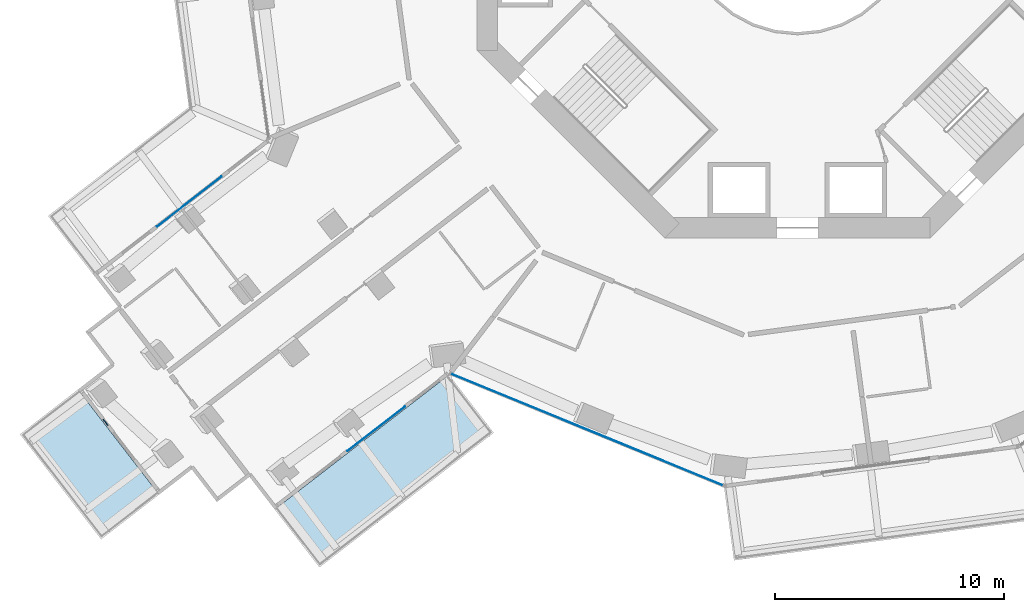
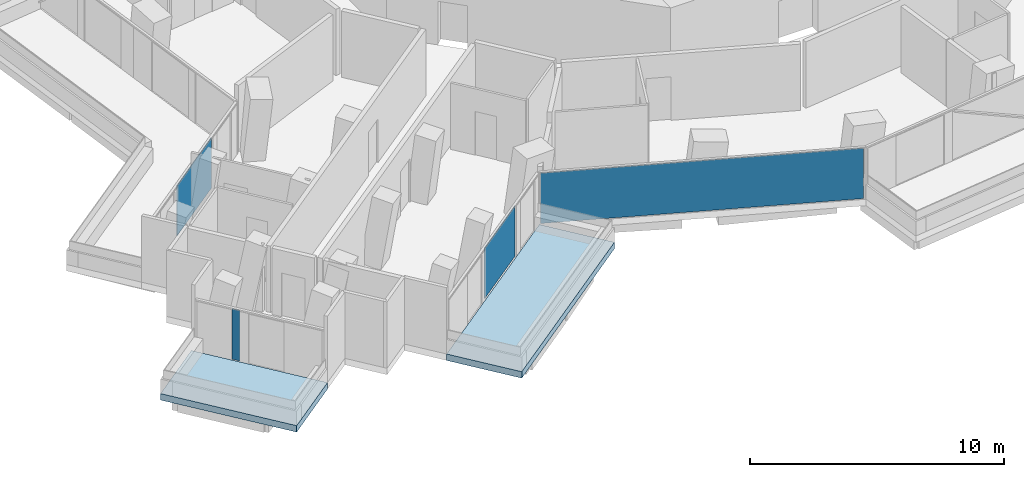
# One storey, part 13 of 27: 4 plates, 2 slabs, 4 elements without a shape of their own.
"""IFC4 building model written with IfcOpenShell, lengths in metres."""

from ifc_helpers import new_model, si_unit, direction, frame, origin, origin_2d, place, context, subcontext, project, spatial, polyline, rectangle, outline, extrude, material, layer, layer_set, type_object, element, aggregate, save


model = new_model("IFC4")

# Units and contexts
model_context = context("Model", 3, precision=1e-05, world=origin(), true_north=direction((0.0, 1.0)))
body_context = subcontext(model_context, "Body", "Model", "MODEL_VIEW")
ifc_project = project(units=[si_unit("LENGTHUNIT", "METRE"), si_unit("AREAUNIT", "SQUARE_METRE"), si_unit("VOLUMEUNIT", "CUBIC_METRE"), si_unit("PLANEANGLEUNIT", "RADIAN"), si_unit("MASSUNIT", "GRAM", prefix="KILO")], contexts=[model_context])

# Site, building, storey
site_placement = place(None, origin())
site = spatial("IfcSite", under=ifc_project, at=site_placement, CompositionType="ELEMENT")
building_placement = place(site_placement, origin())
building = spatial("IfcBuilding", under=site, at=building_placement, Name="Verdalira Terraces Hotel", CompositionType="ELEMENT")
storey_placement = place(building_placement, frame((0.0, 0.0, 64.5)))
storey = spatial("IfcBuildingStorey", under=building, at=storey_placement, Name="L14", CompositionType="ELEMENT", Elevation=64.5)

# Slabs
ifc_material_1 = material(Name="Precast concrete C40/50", Category="concrete")
ifc_layer_1 = layer(ifc_material_1, 0.31005859375)
ifc_layer_set_1 = layer_set([ifc_layer_1], Name="Balcony deck 310")
slab_type = type_object("IfcSlabType", Name="Balcony deck 310", PredefinedType="FLOOR", material=ifc_layer_set_1)
slab_1_placement = place(storey_placement, frame((0.0, 0.0, -0.310059)))
element("IfcSlab", 1, at=slab_1_placement, inside=storey, type_object=slab_type, Name="Balcony deck", PredefinedType="FLOOR", context=body_context, shape_type="SweptSolid", body=[
    extrude(outline(polyline([(-30.422363, -27.1604), (-27.889893, -25.204346), (-31.435059, -20.614014), (-33.967773, -22.570068), (-30.422363, -27.1604)])), origin(), (0.0, 0.0, 1.0), 0.310059),
])
slab_2_placement = place(storey_placement, frame((0.0, 0.0, -0.310059)))
element("IfcSlab", 2, at=slab_2_placement, inside=storey, type_object=slab_type, Name="Balcony deck", PredefinedType="FLOOR", context=body_context, shape_type="SweptSolid", body=[
    extrude(outline(polyline([(-13.269775, -22.504883), (-15.22583, -19.972168), (-22.840088, -25.853027), (-20.884277, -28.385742), (-13.269775, -22.504883)])), origin(), (0.0, 0.0, 1.0), 0.310059),
])

# Curtain wall, plate
ifc_material_2 = material(Name="Clear glass", Category="glass")
ifc_layer_2 = layer(ifc_material_2, 0.14990234375)
ifc_layer_set_2 = layer_set([ifc_layer_2], Name="CW1 curtain wall")
curtain_wall_type_1 = type_object("IfcCurtainWallType", Name="CW1 curtain wall", PredefinedType="NOTDEFINED", material=ifc_layer_set_2)
curtain_wall_1_placement = place(storey_placement, origin())
curtain_wall_1 = element("IfcCurtainWall", 3, at=curtain_wall_1_placement, inside=storey, type_object=curtain_wall_type_1, Name="CW1 curtain wall L14 edge 25", PredefinedType="NOTDEFINED")
ifc_material_3 = material(Name="Clear glass", Category="glass")
ifc_layer_3 = layer(ifc_material_3, 0.028076171875)
ifc_layer_set_3 = layer_set([ifc_layer_3], Name="CW1 glass unit 28")
plate_type_1 = type_object("IfcPlateType", Name="CW1 glass unit 28", PredefinedType="CURTAIN_PANEL", material=ifc_layer_set_3)
plate_1_placement = place(storey_placement, frame((-9.202881, -22.36377, 0.0), z_axis=(0.0, 0.0, 1.0), x_axis=(0.925077207, -0.379779096, 0.0)))
plate_1 = element("IfcPlate", 4, at=plate_1_placement, type_object=plate_type_1, Name="CW1 glass unit", PredefinedType="CURTAIN_PANEL", context=body_context, shape_type="SweptSolid", body=[
    extrude(rectangle(XDim=12.839844, YDim=0.028076, at=origin_2d()), origin(), (0.0, 0.0, 1.0), 2.425049),
])
aggregate(curtain_wall_1, [plate_1])

ifc_material_4 = material(Name="Clear glass", Category="glass")
ifc_layer_4 = layer(ifc_material_4, 0.14990234375)
ifc_layer_set_4 = layer_set([ifc_layer_4], Name="CW2 curtain wall")
curtain_wall_type_2 = type_object("IfcCurtainWallType", Name="CW2 curtain wall", PredefinedType="NOTDEFINED", material=ifc_layer_set_4)
curtain_wall_2_placement = place(storey_placement, origin())
curtain_wall_2 = element("IfcCurtainWall", 5, at=curtain_wall_2_placement, inside=storey, type_object=curtain_wall_type_2, Name="CW2 curtain wall L14 edge 14", PredefinedType="NOTDEFINED")
ifc_material_5 = material(Name="Clear glass", Category="glass")
ifc_layer_5 = layer(ifc_material_5, 0.031982421875)
ifc_layer_set_5 = layer_set([ifc_layer_5], Name="CW2 glass unit 32")
plate_type_2 = type_object("IfcPlateType", Name="CW2 glass unit 32", PredefinedType="CURTAIN_PANEL", material=ifc_layer_set_5)
plate_2_placement = place(storey_placement, frame((-26.575684, -12.407227, 0.0), z_axis=(0.0, 0.0, 1.0), x_axis=(-0.791436948, -0.611250814, 0.0)))
plate_2 = element("IfcPlate", 6, at=plate_2_placement, type_object=plate_type_2, Name="CW2 glass unit", PredefinedType="CURTAIN_PANEL", context=body_context, shape_type="SweptSolid", body=[
    extrude(rectangle(XDim=3.573486, YDim=0.031982, at=origin_2d()), origin(), (0.0, 0.0, 1.0), 2.425049),
])
aggregate(curtain_wall_2, [plate_2])

curtain_wall_3_placement = place(storey_placement, origin())
curtain_wall_3 = element("IfcCurtainWall", 7, at=curtain_wall_3_placement, inside=storey, type_object=curtain_wall_type_2, Name="CW2 curtain wall L14 edge 24", PredefinedType="NOTDEFINED")
plate_3_placement = place(storey_placement, frame((-18.400391, -22.329346, 0.0), z_axis=(0.0, 0.0, 1.0), x_axis=(0.791436948, 0.611250814, 0.0)))
plate_3 = element("IfcPlate", 8, at=plate_3_placement, type_object=plate_type_2, Name="CW2 glass unit", PredefinedType="CURTAIN_PANEL", context=body_context, shape_type="SweptSolid", body=[
    extrude(rectangle(XDim=3.166748, YDim=0.031982, at=origin_2d()), origin(), (0.0, 0.0, 1.0), 2.425049),
])
aggregate(curtain_wall_3, [plate_3])

ifc_material_6 = material(Name="Clear glass", Category="glass")
ifc_layer_6 = layer(ifc_material_6, 0.14990234375)
ifc_layer_set_6 = layer_set([ifc_layer_6], Name="CW3 curtain wall")
curtain_wall_type_3 = type_object("IfcCurtainWallType", Name="CW3 curtain wall", PredefinedType="NOTDEFINED", material=ifc_layer_set_6)
curtain_wall_4_placement = place(storey_placement, origin())
curtain_wall_4 = element("IfcCurtainWall", 9, at=curtain_wall_4_placement, inside=storey, type_object=curtain_wall_type_3, Name="CW3 curtain wall L14 edge 19", PredefinedType="NOTDEFINED")
ifc_material_7 = material(Name="Clear glass", Category="glass")
ifc_layer_7 = layer(ifc_material_7, 0.035888671875)
ifc_layer_set_7 = layer_set([ifc_layer_7], Name="CW3 glass unit 36")
plate_type_3 = type_object("IfcPlateType", Name="CW3 glass unit 36", PredefinedType="CURTAIN_PANEL", material=ifc_layer_set_7)
plate_4_placement = place(storey_placement, frame((-30.230713, -22.051025, 0.0), z_axis=(0.0, 0.0, 1.0), x_axis=(0.611250814, -0.791436948, 0.0)))
plate_4 = element("IfcPlate", 10, at=plate_4_placement, type_object=plate_type_3, Name="CW3 glass unit", PredefinedType="CURTAIN_PANEL", context=body_context, shape_type="SweptSolid", body=[
    extrude(rectangle(XDim=0.333252, YDim=0.035889, at=origin_2d()), origin(), (0.0, 0.0, 1.0), 2.425049),
])
aggregate(curtain_wall_4, [plate_4])

save(model, "model.ifc")
